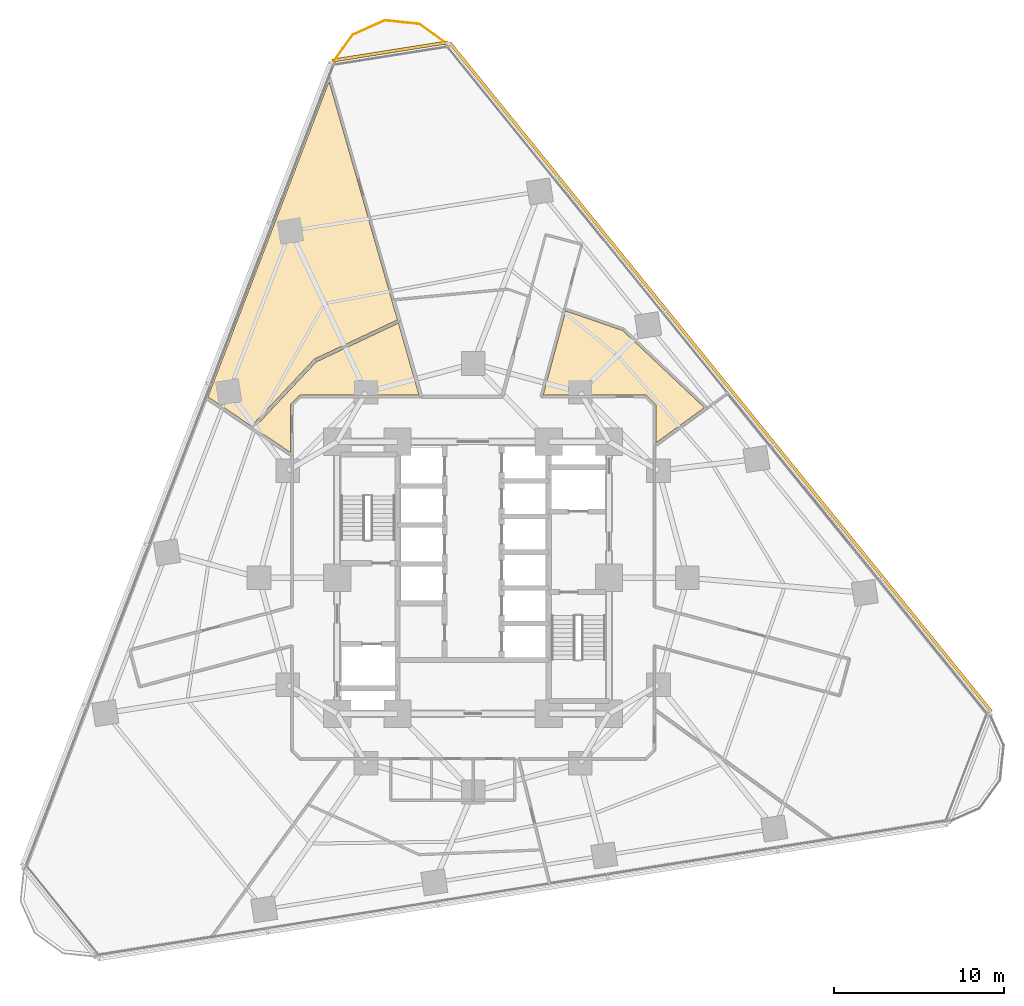
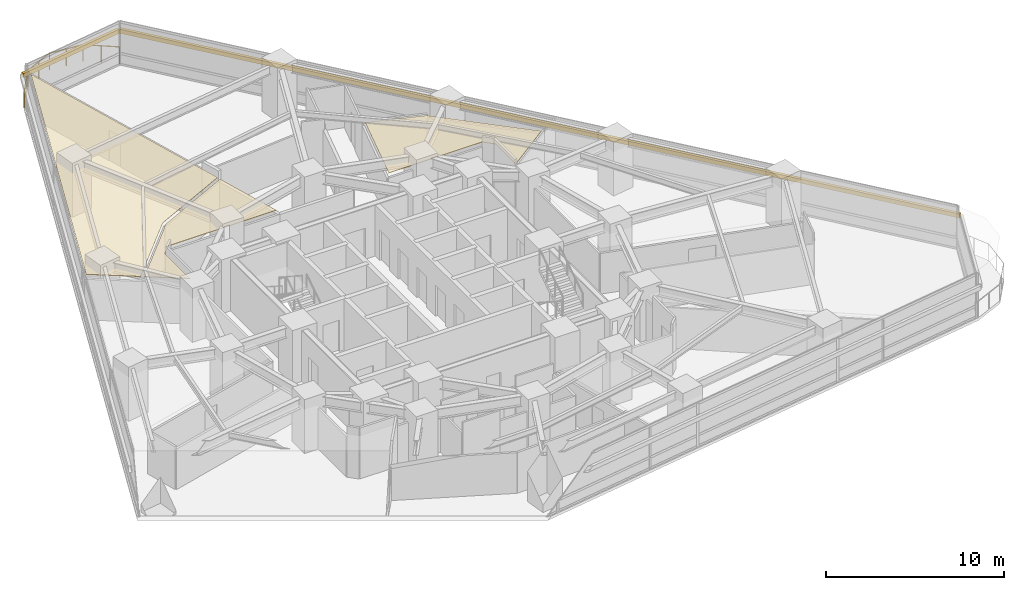
# One storey, part 13 of 13: 3 coverings, 2 shading devices, 1 railing.
"""IFC4 building model written with IfcOpenShell, lengths in metres."""

from ifc_helpers import new_model, si_unit, direction, frame, origin, origin_2d, place, context, subcontext, project, spatial, polyline, rectangle, circle, outline, extrude, material, layer, layer_set, type_object, element, save


model = new_model("IFC4")

# Units and contexts
model_context = context("Model", 3, precision=1e-05, world=origin(), true_north=direction((0.0, 1.0)))
body_context = subcontext(model_context, "Body", "Model", "MODEL_VIEW")
ifc_project = project(units=[si_unit("LENGTHUNIT", "METRE"), si_unit("AREAUNIT", "SQUARE_METRE"), si_unit("VOLUMEUNIT", "CUBIC_METRE"), si_unit("PLANEANGLEUNIT", "RADIAN"), si_unit("MASSUNIT", "GRAM", prefix="KILO")], contexts=[model_context])

# Site, building, storey
site_placement = place(None, origin())
site = spatial("IfcSite", under=ifc_project, at=site_placement, CompositionType="ELEMENT")
building_placement = place(site_placement, origin())
building = spatial("IfcBuilding", under=site, at=building_placement, Name="Terralouvre Media Tower", CompositionType="ELEMENT")
storey_placement = place(building_placement, frame((0.0, 0.0, 55.60009765625)))
storey = spatial("IfcBuildingStorey", under=building, at=storey_placement, Name="L13", CompositionType="ELEMENT", Elevation=55.60009765625)

# Coverings
ifc_material_1 = material(Name="Perforated aluminium acoustic ceiling baffle", Category="aluminium")
ifc_layer_1 = layer(ifc_material_1, 0.0400390625, Name="Perforated Acoustic Metal Tile Ceiling CL-AC1")
ifc_layer_set_1 = layer_set([ifc_layer_1], Name="Perforated aluminium acoustic ceiling baffle")
covering_type = type_object("IfcCoveringType", Name="Perforated Acoustic Metal Tile Ceiling CL-AC1", PredefinedType="CEILING", material=ifc_layer_set_1)
covering_1_placement = place(storey_placement, frame((0.0, 0.0, 2.97998046875), z_axis=(0.0, 0.0, 1.0), x_axis=(0.987688340595, 0.15643446504, 0.0)))
element("IfcCovering", 1, at=covering_1_placement, inside=storey, type_object=covering_type, Name="L13 Staff Quiet Reading Club 3 Acoustic Ceiling", PredefinedType="CEILING", context=body_context, shape_type="SweptSolid", body=[
    extrude(outline(polyline([(10.964111328125, 12.9892578125), (7.83740234375, 14.65185546875), (5.753173828125, 9.972900390625), (11.706787109375, 9.02978515625), (11.71630859375, 9.02783203125), (11.7255859375, 9.02490234375), (11.734619140625, 9.02099609375), (11.743408203125, 9.016357421875), (11.75146484375, 9.0107421875), (11.759033203125, 9.00439453125), (11.765869140625, 8.99755859375), (11.77197265625, 8.98974609375), (12.1875, 8.417724609375), (12.19287109375, 8.409423828125), (12.197509765625, 8.40087890625), (12.201171875, 8.391845703125), (12.203857421875, 8.38232421875), (12.205810546875, 8.372802734375), (12.20654296875, 8.363037109375), (12.20654296875, 8.35302734375), (12.20556640625, 8.34326171875), (11.85888671875, 6.15478515625), (15.002685546875, 7.756591796875), (10.964111328125, 12.9892578125)])), origin(), (0.0, 0.0, 1.0), 0.0400390625),
])
covering_2_placement = place(storey_placement, frame((0.0, 0.0, 2.97998046875), z_axis=(0.0, 0.0, 1.0), x_axis=(0.987688340595, 0.15643446504, 0.0)))
element("IfcCovering", 2, at=covering_2_placement, inside=storey, type_object=covering_type, Name="L13 Product Roadmap Huddle Room 9 Acoustic Ceiling", PredefinedType="CEILING", context=body_context, shape_type="SweptSolid", body=[
    extrude(outline(polyline([(-7.234375, 14.156494140625), (-7.2265625, 14.161865234375), (-7.218505859375, 14.16650390625), (-7.2099609375, 14.17041015625), (-7.201171875, 14.17333984375), (-2.0263671875, 15.682373046875), (-2.172607421875, 16.87109375), (-3.804443359375, 30.166748046875), (-13.7431640625, 12.95263671875), (-11.49560546875, 10.857421875), (-7.234375, 14.156494140625)])), origin(), (0.0, 0.0, 1.0), 0.0400390625),
])
covering_3_placement = place(storey_placement, frame((0.0, 0.0, 2.97998046875), z_axis=(0.0, 0.0, 1.0), x_axis=(0.987688340595, 0.15643446504, 0.0)))
element("IfcCovering", 3, at=covering_3_placement, inside=storey, type_object=covering_type, Name="L13 QA Testing Workspace 10 Acoustic Ceiling", PredefinedType="CEILING", context=body_context, shape_type="SweptSolid", body=[
    extrude(outline(polyline([(-7.126953125, 13.98681640625), (-11.347412109375, 10.71923828125), (-9.46435546875, 8.962890625), (-9.02978515625, 11.706787109375), (-9.02783203125, 11.71630859375), (-9.02490234375, 11.7255859375), (-9.02099609375, 11.734619140625), (-9.016357421875, 11.743408203125), (-9.0107421875, 11.75146484375), (-9.00439453125, 11.759033203125), (-8.99755859375, 11.765869140625), (-8.98974609375, 11.77197265625), (-8.417724609375, 12.1875), (-8.409423828125, 12.19287109375), (-8.40087890625, 12.197509765625), (-8.391845703125, 12.201171875), (-8.38232421875, 12.203857421875), (-8.372802734375, 12.205810546875), (-8.363037109375, 12.20654296875), (-8.35302734375, 12.20654296875), (-8.34326171875, 12.20556640625), (-1.4658203125, 11.1162109375), (-2.00146484375, 15.481201171875), (-7.126953125, 13.98681640625)])), origin(), (0.0, 0.0, 1.0), 0.0400390625),
])

# Railing
ifc_material_2 = material(Name="Stainless steel 316 handrail and balustrade", Category="steel")
ifc_layer_2 = layer(ifc_material_2, 0.06005859375, Name="Roof Edge Safety Guardrail GR-ROOF1")
ifc_layer_set_2 = layer_set([ifc_layer_2], Name="Stainless steel 316 handrail and balustrade")
railing_type = type_object("IfcRailingType", Name="Roof Edge Safety Guardrail GR-ROOF1", PredefinedType="GUARDRAIL", material=ifc_layer_set_2)
railing_placement = place(storey_placement, frame((-1.47998046875, 31.36669921875, 0.0)))
element("IfcRailing", 4, at=railing_placement, inside=storey, type_object=railing_type, Name="L13 Wind-Corner Perimeter Safety Guardrail C2", PredefinedType="GUARDRAIL", context=body_context, shape_type="SweptSolid", body=[
    extrude(circle(Radius=0.02099609375, at=origin_2d()), frame((0.0, 0.0, 1.12890625), z_axis=(-0.808843708148, 0.588023686419, 0.0), x_axis=(-0.588023686419, -0.808843708148, 0.0)), (0.0, 0.0, 1.0), 2.059814453125),
    extrude(circle(Radius=0.02099609375, at=origin_2d()), frame((-1.666015625, 1.211181640625, 1.12890625), z_axis=(-0.994517140727, 0.104573690763, 0.0), x_axis=(-0.104573690763, -0.994517140727, 0.0)), (0.0, 0.0, 1.0), 2.05908203125),
    extrude(circle(Radius=0.02099609375, at=origin_2d()), frame((-3.7138671875, 1.426513671875, 1.12890625), z_axis=(-0.913542473205, -0.406743346167, 0.0), x_axis=(0.406743346167, -0.913542473205, 0.0)), (0.0, 0.0, 1.0), 2.059326171875),
    extrude(circle(Radius=0.02099609375, at=origin_2d()), frame((-5.59521484375, 0.5888671875, 1.12890625), z_axis=(-0.587544282361, -0.80919201446, 0.0), x_axis=(0.80919201446, -0.587544282361, 0.0)), (0.0, 0.0, 1.0), 2.059814453125),
    extrude(circle(Radius=0.01904296875, at=origin_2d()), origin(), (0.0, 0.0, 1.0), 1.10791015625),
    extrude(circle(Radius=0.01904296875, at=origin_2d()), frame((-0.8330078125, 0.60546875, 0.0)), (0.0, 0.0, 1.0), 1.10791015625),
    extrude(circle(Radius=0.01904296875, at=origin_2d()), frame((-1.666015625, 1.211181640625, 0.0)), (0.0, 0.0, 1.0), 1.10791015625),
    extrude(circle(Radius=0.01904296875, at=origin_2d()), frame((-2.68994140625, 1.31884765625, 0.0)), (0.0, 0.0, 1.0), 1.10791015625),
    extrude(circle(Radius=0.01904296875, at=origin_2d()), frame((-3.7138671875, 1.426513671875, 0.0)), (0.0, 0.0, 1.0), 1.10791015625),
    extrude(circle(Radius=0.01904296875, at=origin_2d()), frame((-4.654541015625, 1.0078125, 0.0)), (0.0, 0.0, 1.0), 1.10791015625),
    extrude(circle(Radius=0.01904296875, at=origin_2d()), frame((-5.59521484375, 0.5888671875, 0.0)), (0.0, 0.0, 1.0), 1.10791015625),
    extrude(circle(Radius=0.01904296875, at=origin_2d()), frame((-6.2001953125, -0.24462890625, 0.0)), (0.0, 0.0, 1.0), 1.10791015625),
    extrude(circle(Radius=0.01904296875, at=origin_2d()), frame((-6.805419921875, -1.077880859375, 0.0)), (0.0, 0.0, 1.0), 1.10791015625),
])

# Shading devices
ifc_material_3 = material(Name="Extruded terracotta baguette sunshade louvres", Category="masonry")
shading_device_type = type_object("IfcShadingDeviceType", Name="Terracotta Baguette Sunshade Louvre Screen TB-LV1", PredefinedType="USERDEFINED", material=ifc_material_3)
shading_device_1_placement = place(storey_placement, frame((14.5625, 11.79248046875, 2.02392578125), z_axis=(0.0, 0.0, 1.0), x_axis=(-0.629320350521, 0.777145994276, 0.0)))
element("IfcShadingDevice", 5, at=shading_device_1_placement, inside=storey, type_object=shading_device_type, Name="CW-L13-F1 Terracotta Baguette Sunshade Louvre", ObjectType="BAGUETTE", PredefinedType="USERDEFINED", context=body_context, shape_type="SweptSolid", body=[
    extrude(rectangle(XDim=50.639892578125, YDim=0.179931640625, at=origin_2d()), origin(), (0.0, 0.0, 1.0), 0.280029296875),
])
shading_device_2_placement = place(storey_placement, frame((-4.90380859375, 30.961181640625, 2.02392578125), z_axis=(0.0, 0.0, 1.0), x_axis=(-0.987688353034, -0.156434386502, 0.0)))
element("IfcShadingDevice", 6, at=shading_device_2_placement, inside=storey, type_object=shading_device_type, Name="CW-L13-C2 Terracotta Baguette Sunshade Louvre", ObjectType="BAGUETTE", PredefinedType="USERDEFINED", context=body_context, shape_type="SweptSolid", body=[
    extrude(rectangle(XDim=6.8935546875, YDim=0.179931640625, at=origin_2d()), origin(), (0.0, 0.0, 1.0), 0.280029296875),
])

save(model, "model.ifc")
